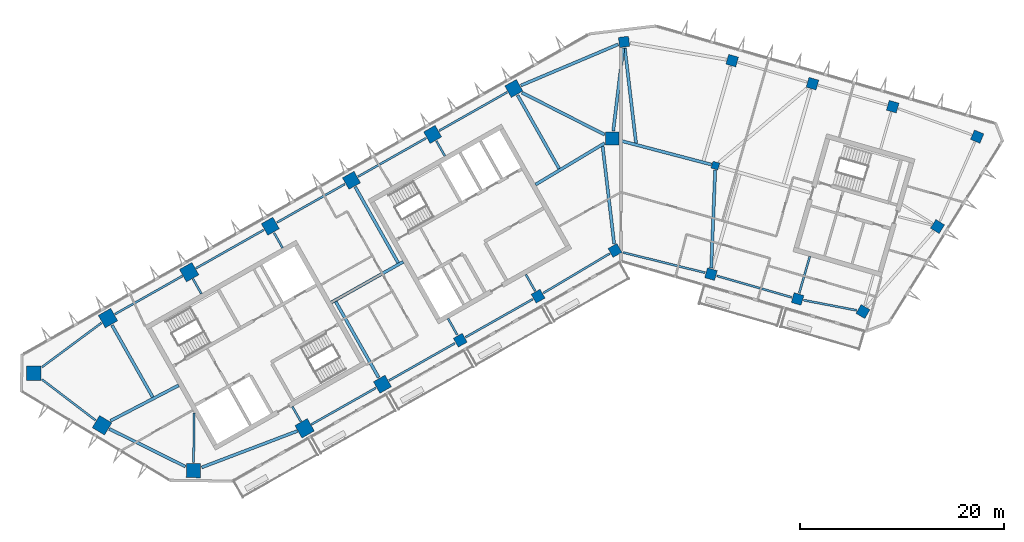
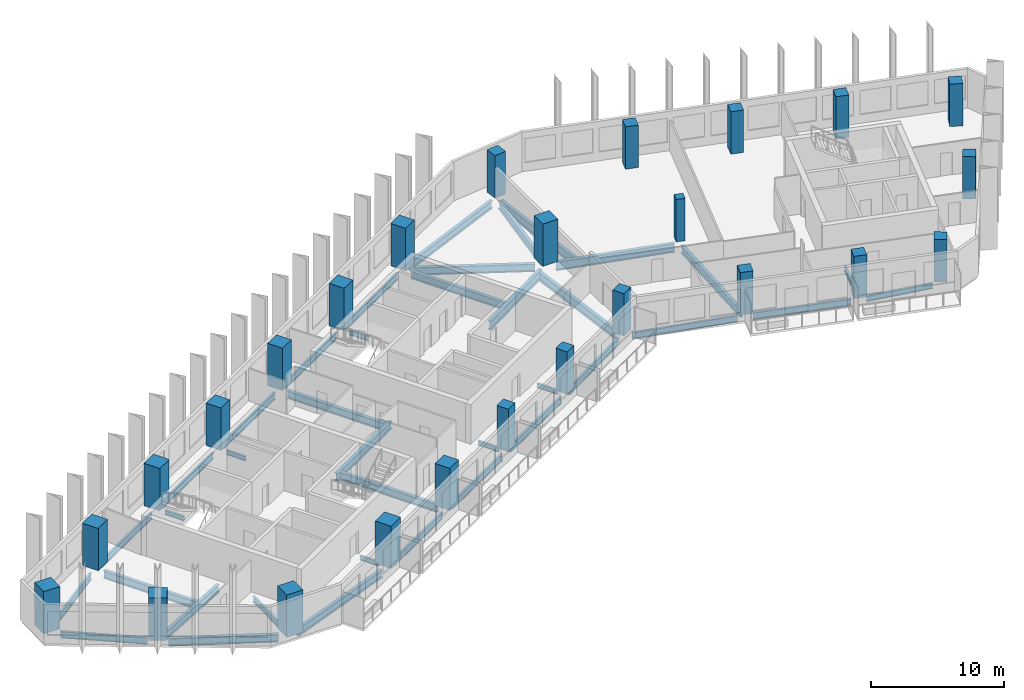
# One storey, part 1 of 11: 38 beams, 25 columns.
"""IFC4 building model written with IfcOpenShell, lengths in metres."""

from ifc_helpers import new_model, si_unit, direction, frame, origin, origin_2d, place, context, subcontext, project, spatial, rectangle, i_section, extrude, material, material_profile, profile_set, type_object, element, save


model = new_model("IFC4")

# Units and contexts
model_context = context("Model", 3, precision=1e-05, world=origin(), true_north=direction((0.0, 1.0)))
body_context = subcontext(model_context, "Body", "Model", "MODEL_VIEW")
ifc_project = project(units=[si_unit("LENGTHUNIT", "METRE"), si_unit("AREAUNIT", "SQUARE_METRE"), si_unit("VOLUMEUNIT", "CUBIC_METRE"), si_unit("PLANEANGLEUNIT", "RADIAN"), si_unit("MASSUNIT", "GRAM", prefix="KILO")], contexts=[model_context])

# Site, building, storey
site_placement = place(None, origin())
site = spatial("IfcSite", under=ifc_project, at=site_placement, CompositionType="ELEMENT")
building_placement = place(site_placement, origin())
building = spatial("IfcBuilding", under=site, at=building_placement, Name="Binnacle Exchange Tower", CompositionType="ELEMENT")
storey_placement = place(building_placement, frame((0.0, 0.0, 207.5)))
storey = spatial("IfcBuildingStorey", under=building, at=storey_placement, Name="L45", CompositionType="ELEMENT", Elevation=207.5)

# Columns
ifc_material_1 = material(Name="Concrete C60/75", Category="concrete")
ifc_material_profile_1 = material_profile(ifc_material_1, rectangle(XDim=0.699951171875, YDim=0.699951171875, at=origin_2d()), Name="Column 700x700 C60/75")
ifc_profile_set_1 = profile_set([ifc_material_profile_1], Name="Concrete C60/75")
column_type_1 = type_object("IfcColumnType", Name="Column 700x700 C60/75", PredefinedType="COLUMN", material=ifc_profile_set_1)
column_placement = place(storey_placement, frame((9.240966796875, 57.35009765625, 0.0), z_axis=(0.0, 0.0, 1.0), x_axis=(0.961261695938, -0.275637355817, 0.0)))
element("IfcColumn", 1, at=column_placement, inside=storey, type_object=column_type_1, Name="S:COL:C19:L45", PredefinedType="COLUMN", context=body_context, shape_type="SweptSolid", body=[
    extrude(rectangle(XDim=0.699951171875, YDim=0.699951171875, at=origin_2d()), origin(), (0.0, 0.0, 1.0), 3.89990234375),
])
ifc_material_profile_2 = material_profile(ifc_material_1, rectangle(XDim=1.0, YDim=1.0, at=origin_2d()), Name="Mega column 1000x1000 C60/75")
ifc_profile_set_2 = profile_set([ifc_material_profile_2], Name="Concrete C60/75")
column_type_2 = type_object("IfcColumnType", Name="Mega column 1000x1000 C60/75", PredefinedType="COLUMN", material=ifc_profile_set_2)
for number, where, z_axis, x_axis, name in (
    (2, (26.602783203125, 63.12353515625, 0.0), (0.0, 0.0, 1.0), (-0.961261695938, 0.275637355817, 0.0), "S:COL:MC52:L45"),
    (3, (18.746337890625, 65.376220703125, 0.0), (0.0, 0.0, 1.0), (-0.961261695938, 0.275637355817, 0.0), "S:COL:MC50:L45"),
    (4, (10.889892578125, 67.62890625, 0.0), (0.0, 0.0, 1.0), (-0.961261695938, 0.275637355817, 0.0), "S:COL:MC48:L45"),
    (5, (0.300048828125, 69.464111328125, 0.0), (0.0, 0.0, 1.0), (-0.993068456955, -0.117537397458, 0.0), "S:COL:MC47:L45"),
    (6, (-15.736328125, 40.257080078125, 0.0), (0.0, 0.0, 1.0), (0.87035569594, 0.492423560103, 0.0), "S:COL:MC24:L45"),
    (7, (-8.116943359375, 44.568115234375, 0.0), (0.0, 0.0, 1.0), (0.87035569594, 0.492423560103, 0.0), "S:COL:MC35:L45"),
    (8, (-0.5908203125, 49.04443359375, 0.0), (0.0, 0.0, 1.0), (0.87035569594, 0.492423560103, 0.0), "S:COL:MC46:L45"),
    (9, (8.8095703125, 46.722412109375, 0.0), (0.0, 0.0, 1.0), (0.961261695938, -0.275637355817, 0.0), "S:COL:MC49:L45"),
    (10, (17.2880859375, 44.291015625, 0.0), (0.0, 0.0, 1.0), (0.961261695938, -0.275637355817, 0.0), "S:COL:MC51:L45"),
    (11, (23.690185546875, 43.062744140625, 0.0), (0.0, 0.0, 1.0), (-0.86532642813, 0.501208711795, 0.0), "S:COL:MC53:L45"),
    (12, (30.989501953125, 51.38623046875, 0.0), (0.0, 0.0, 1.0), (0.529919264233, 0.848048096156, 0.0), "S:COL:MC55:L45"),
    (13, (34.870361328125, 60.18701171875, 0.0), (0.0, 0.0, 1.0), (-0.922814001807, 0.385245789164, 0.0), "S:COL:MC54:L45"),
):
    element("IfcColumn", number, at=place(storey_placement, frame(where, z_axis=z_axis, x_axis=x_axis)), inside=storey, type_object=column_type_2, Name=name, PredefinedType="COLUMN", context=body_context, shape_type="SweptSolid", body=[
        extrude(rectangle(XDim=1.0, YDim=1.0, at=origin_2d()), origin(), (0.0, 0.0, 1.0), 3.89990234375),
    ])
ifc_material_profile_3 = material_profile(ifc_material_1, rectangle(XDim=1.300048828125, YDim=1.300048828125, at=origin_2d()), Name="Mega column 1300x1300 C60/75")
ifc_profile_set_3 = profile_set([ifc_material_profile_3], Name="Concrete C60/75")
column_type_3 = type_object("IfcColumnType", Name="Mega column 1300x1300 C60/75", PredefinedType="COLUMN", material=ifc_profile_set_3)
for number, where, z_axis, x_axis, name in (
    (14, (-10.4951171875, 64.901611328125, 0.0), (0.0, 0.0, 1.0), (-0.87035569594, -0.492423560103, 0.0), "S:COL:MC38:L45"),
    (15, (-18.44140625, 60.406005859375, 0.0), (0.0, 0.0, 1.0), (-0.87035569594, -0.492423560103, 0.0), "S:COL:MC29:L45"),
    (16, (-26.3876953125, 55.91015625, 0.0), (0.0, 0.0, 1.0), (-0.87035569594, -0.492423560103, 0.0), "S:COL:MC21:L45"),
    (17, (-34.333740234375, 51.414306640625, 0.0), (0.0, 0.0, 1.0), (-0.87035569594, -0.492423560103, 0.0), "S:COL:MC13:L45"),
    (18, (-23.35595703125, 35.9462890625, 0.0), (0.0, 0.0, 1.0), (0.87035569594, 0.492423560103, 0.0), "S:COL:MC16:L45"),
    (19, (-0.85009765625, 60.0, 0.0), (0.0, 0.0, 1.0), (0.0, 1.0, 0.0), "S:COL:MC45:L45"),
):
    element("IfcColumn", number, at=place(storey_placement, frame(where, z_axis=z_axis, x_axis=x_axis)), inside=storey, type_object=column_type_3, Name=name, PredefinedType="COLUMN", context=body_context, shape_type="SweptSolid", body=[
        extrude(rectangle(XDim=1.300048828125, YDim=1.300048828125, at=origin_2d()), origin(), (0.0, 0.0, 1.0), 3.89990234375),
    ])
ifc_material_profile_4 = material_profile(ifc_material_1, rectangle(XDim=1.39990234375, YDim=1.39990234375, at=origin_2d()), Name="Mega column 1400x1400 C60/75")
ifc_profile_set_4 = profile_set([ifc_material_profile_4], Name="Concrete C60/75")
column_type_4 = type_object("IfcColumnType", Name="Mega column 1400x1400 C60/75", PredefinedType="COLUMN", material=ifc_profile_set_4)
for number, where, z_axis, x_axis, name in (
    (20, (-42.280029296875, 46.918701171875, 0.0), (0.0, 0.0, 1.0), (-0.87035569594, -0.492423560103, 0.0), "S:COL:MC08:L45"),
    (21, (-50.226318359375, 42.4228515625, 0.0), (0.0, 0.0, 1.0), (-0.87035569594, -0.492423560103, 0.0), "S:COL:MC04:L45"),
    (22, (-57.492919921875, 37.02734375, 0.0), (0.0, 0.0, 1.0), (-0.013089595571, -0.999914327574, 0.0), "S:COL:MC02:L45"),
    (23, (-50.81201171875, 31.930908203125, 0.0), (0.0, 0.0, 1.0), (0.857167300702, -0.51503807491, 0.0), "S:COL:MC01:L45"),
    (24, (-41.857666015625, 27.494873046875, 0.0), (0.0, 0.0, 1.0), (0.999914327574, -0.013089595571, 0.0), "S:COL:MC03:L45"),
    (25, (-30.9755859375, 31.63525390625, 0.0), (0.0, 0.0, 1.0), (0.87035569594, 0.492423560103, 0.0), "S:COL:MC07:L45"),
):
    element("IfcColumn", number, at=place(storey_placement, frame(where, z_axis=z_axis, x_axis=x_axis)), inside=storey, type_object=column_type_4, Name=name, PredefinedType="COLUMN", context=body_context, shape_type="SweptSolid", body=[
        extrude(rectangle(XDim=1.39990234375, YDim=1.39990234375, at=origin_2d()), origin(), (0.0, 0.0, 1.0), 3.89990234375),
    ])

# Beams
ifc_material_2 = material(Name="Steel S355 (SHN355)", Category="steel")
ifc_material_profile_5 = material_profile(ifc_material_2, i_section(OverallWidth=0.199951171875, OverallDepth=0.5, WebThickness=0.010009765625, FlangeThickness=0.01611328125, FilletRadius=0.02001953125, at=origin_2d()), Name="H 500x200x10x16")
ifc_profile_set_5 = profile_set([ifc_material_profile_5], Name="Steel S355 (SHN355)")
beam_type_1 = type_object("IfcBeamType", Name="Edge girder H 500x200x10x16 Steel S355 (SHN355)", PredefinedType="SPANDREL", material=ifc_profile_set_5)
beam_1_placement = place(storey_placement, frame((17.8798828125, 44.177490234375, -0.530029296875), z_axis=(0.982085171807, -0.188437563446, 0.0), x_axis=(0.188437563446, 0.982085171807, 0.0)))
element("IfcBeam", 26, at=beam_1_placement, inside=storey, type_object=beam_type_1, Name="S:BM:edge:L45:028", PredefinedType="SPANDREL", context=body_context, shape_type="SweptSolid", body=[
    extrude(i_section(OverallWidth=0.199951171875, OverallDepth=0.5, WebThickness=0.010009765625, FlangeThickness=0.01611328125, FilletRadius=0.02001953125, at=origin_2d()), origin(), (0.0, 0.0, 1.0), 5.281005859375),
])
ifc_material_profile_6 = material_profile(ifc_material_2, i_section(OverallWidth=0.199951171875, OverallDepth=0.60009765625, WebThickness=0.010986328125, FlangeThickness=0.01708984375, FilletRadius=0.02197265625, at=origin_2d()), Name="H 600x200x11x17")
ifc_profile_set_6 = profile_set([ifc_material_profile_6], Name="Steel S355 (SHN355)")
beam_type_2 = type_object("IfcBeamType", Name="Edge girder H 600x200x11x17 Steel S355 (SHN355)", PredefinedType="SPANDREL", material=ifc_profile_set_6)
beam_2_placement = place(storey_placement, frame((-56.70068359375, 36.423095703125, -0.580078125), z_axis=(0.795078424379, -0.606506635649, 0.0), x_axis=(0.606506635649, 0.795078424379, 0.0)))
element("IfcBeam", 27, at=beam_2_placement, inside=storey, type_object=beam_type_2, Name="S:BM:edge:L45:011", PredefinedType="SPANDREL", context=body_context, shape_type="SweptSolid", body=[
    extrude(i_section(OverallWidth=0.199951171875, OverallDepth=0.60009765625, WebThickness=0.010986328125, FlangeThickness=0.01708984375, FilletRadius=0.02197265625, at=origin_2d()), origin(), (0.0, 0.0, 1.0), 6.6015625),
])
ifc_material_profile_7 = material_profile(ifc_material_2, i_section(OverallWidth=0.200927734375, OverallDepth=0.60595703125, WebThickness=0.011962890625, FlangeThickness=0.02001953125, FilletRadius=0.02197265625, at=origin_2d()), Name="H 606x201x12x20")
ifc_profile_set_7 = profile_set([ifc_material_profile_7], Name="Steel S355 (SHN355)")
beam_type_3 = type_object("IfcBeamType", Name="Edge girder H 606x201x12x20 Steel S355 (SHN355)", PredefinedType="SPANDREL", material=ifc_profile_set_7)
beam_3_placement = place(storey_placement, frame((-50.87353515625, 41.9423828125, -0.5830078125), z_axis=(-0.802872533272, -0.596150732044, 0.0), x_axis=(0.596150732044, -0.802872533272, 0.0)))
element("IfcBeam", 28, at=beam_3_placement, inside=storey, type_object=beam_type_3, Name="S:BM:edge:L45:012", PredefinedType="SPANDREL", context=body_context, shape_type="SweptSolid", body=[
    extrude(i_section(OverallWidth=0.200927734375, OverallDepth=0.60595703125, WebThickness=0.011962890625, FlangeThickness=0.02001953125, FilletRadius=0.02197265625, at=origin_2d()), origin(), (0.0, 0.0, 1.0), 7.238525390625),
])
beam_4_placement = place(storey_placement, frame((-30.32275390625, 32.004638671875, -0.5830078125), z_axis=(0.870355920795, 0.492423162674, 0.0), x_axis=(-0.492423162674, 0.870355920795, 0.0)))
element("IfcBeam", 29, at=beam_4_placement, inside=storey, type_object=beam_type_3, Name="S:BM:edge:L45:017", PredefinedType="SPANDREL", context=body_context, shape_type="SweptSolid", body=[
    extrude(i_section(OverallWidth=0.200927734375, OverallDepth=0.60595703125, WebThickness=0.011962890625, FlangeThickness=0.02001953125, FilletRadius=0.02197265625, at=origin_2d()), origin(), (0.0, 0.0, 1.0), 7.25439453125),
])
beam_5_placement = place(storey_placement, frame((-22.703125, 36.3154296875, -0.5830078125), z_axis=(0.87035151347, 0.49243095252, 0.0), x_axis=(-0.49243095252, 0.87035151347, 0.0)))
element("IfcBeam", 30, at=beam_5_placement, inside=storey, type_object=beam_type_3, Name="S:BM:edge:L45:019", PredefinedType="SPANDREL", context=body_context, shape_type="SweptSolid", body=[
    extrude(i_section(OverallWidth=0.200927734375, OverallDepth=0.60595703125, WebThickness=0.011962890625, FlangeThickness=0.02001953125, FilletRadius=0.02197265625, at=origin_2d()), origin(), (0.0, 0.0, 1.0), 7.404541015625),
])
beam_6_placement = place(storey_placement, frame((-15.214111328125, 40.552734375, -0.5830078125), z_axis=(0.870353295418, 0.492427802988, 0.0), x_axis=(-0.492427802988, 0.870353295418, 0.0)))
element("IfcBeam", 31, at=beam_6_placement, inside=storey, type_object=beam_type_3, Name="S:BM:edge:L45:021", PredefinedType="SPANDREL", context=body_context, shape_type="SweptSolid", body=[
    extrude(i_section(OverallWidth=0.200927734375, OverallDepth=0.60595703125, WebThickness=0.011962890625, FlangeThickness=0.02001953125, FilletRadius=0.02197265625, at=origin_2d()), origin(), (0.0, 0.0, 1.0), 7.554443359375),
])
beam_7_placement = place(storey_placement, frame((-7.60107421875, 44.875, -0.5830078125), z_axis=(0.85946222832, 0.511199254783, 0.0), x_axis=(-0.511199254783, 0.85946222832, 0.0)))
element("IfcBeam", 32, at=beam_7_placement, inside=storey, type_object=beam_type_3, Name="S:BM:edge:L45:023", PredefinedType="SPANDREL", context=body_context, shape_type="SweptSolid", body=[
    extrude(i_section(OverallWidth=0.200927734375, OverallDepth=0.60595703125, WebThickness=0.011962890625, FlangeThickness=0.02001953125, FilletRadius=0.02197265625, at=origin_2d()), origin(), (0.0, 0.0, 1.0), 7.556396484375),
])
beam_8_placement = place(storey_placement, frame((9.38623046875, 46.556884765625, -0.5830078125), z_axis=(0.961266012815, -0.275622300635, 0.0), x_axis=(0.275622300635, 0.961266012815, 0.0)))
element("IfcBeam", 33, at=beam_8_placement, inside=storey, type_object=beam_type_3, Name="S:BM:edge:L45:026", PredefinedType="SPANDREL", context=body_context, shape_type="SweptSolid", body=[
    extrude(i_section(OverallWidth=0.200927734375, OverallDepth=0.60595703125, WebThickness=0.011962890625, FlangeThickness=0.02001953125, FilletRadius=0.02197265625, at=origin_2d()), origin(), (0.0, 0.0, 1.0), 7.620361328125),
])
ifc_material_profile_8 = material_profile(ifc_material_2, i_section(OverallWidth=0.201904296875, OverallDepth=0.612060546875, WebThickness=0.012939453125, FlangeThickness=0.02294921875, FilletRadius=0.02197265625, at=origin_2d()), Name="H 612x202x13x23")
ifc_profile_set_8 = profile_set([ifc_material_profile_8], Name="Steel S355 (SHN355)")
beam_type_4 = type_object("IfcBeamType", Name="Edge girder H 612x202x13x23 Steel S355 (SHN355)", PredefinedType="SPANDREL", material=ifc_profile_set_8)
beam_9_placement = place(storey_placement, frame((-42.932861328125, 46.54931640625, -0.5859375), z_axis=(-0.870352192811, -0.492429751811, 0.0), x_axis=(0.492429751811, -0.870352192811, 0.0)))
element("IfcBeam", 34, at=beam_9_placement, inside=storey, type_object=beam_type_4, Name="S:BM:edge:L45:014", PredefinedType="SPANDREL", context=body_context, shape_type="SweptSolid", body=[
    extrude(i_section(OverallWidth=0.201904296875, OverallDepth=0.612060546875, WebThickness=0.012939453125, FlangeThickness=0.02294921875, FilletRadius=0.02197265625, at=origin_2d()), origin(), (0.0, 0.0, 1.0), 7.57958984375),
])
for number, where, z_axis, x_axis, name in (
    (35, (-34.986572265625, 51.045166015625, -0.5859375), (-0.870355964277, -0.492423085818, 0.0), (0.492423085818, -0.870355964277, 0.0), "S:BM:edge:L45:016"),
    (36, (-27.040283203125, 55.541015625, -0.5859375), (-0.870342250182, -0.492447324643, 0.0), (0.492447324643, -0.870342250182, 0.0), "S:BM:edge:L45:018"),
    (37, (-19.093994140625, 60.03662109375, -0.5859375), (-0.870363722936, -0.492409372165, 0.0), (0.492409372165, -0.870363722936, 0.0), "S:BM:edge:L45:020"),
    (38, (-11.14794921875, 64.532470703125, -0.5859375), (-0.870355964277, -0.492423085818, 0.0), (0.492423085818, -0.870355964277, 0.0), "S:BM:edge:L45:022"),
):
    element("IfcBeam", number, at=place(storey_placement, frame(where, z_axis=z_axis, x_axis=x_axis)), inside=storey, type_object=beam_type_4, Name=name, PredefinedType="SPANDREL", context=body_context, shape_type="SweptSolid", body=[
        extrude(i_section(OverallWidth=0.201904296875, OverallDepth=0.612060546875, WebThickness=0.012939453125, FlangeThickness=0.02294921875, FilletRadius=0.02197265625, at=origin_2d()), origin(), (0.0, 0.0, 1.0), 7.6298828125),
    ])
beam_10_placement = place(storey_placement, frame((0.21044921875, 48.846435546875, -0.5859375), z_axis=(0.970817017645, -0.239821429924, 0.0), x_axis=(0.239821429924, 0.970817017645, 0.0)))
element("IfcBeam", 39, at=beam_10_placement, inside=storey, type_object=beam_type_4, Name="S:BM:edge:L45:025", PredefinedType="SPANDREL", context=body_context, shape_type="SweptSolid", body=[
    extrude(i_section(OverallWidth=0.201904296875, OverallDepth=0.612060546875, WebThickness=0.012939453125, FlangeThickness=0.02294921875, FilletRadius=0.02197265625, at=origin_2d()), origin(), (0.0, 0.0, 1.0), 8.257080078125),
])
ifc_material_profile_9 = material_profile(ifc_material_2, i_section(OverallWidth=0.300048828125, OverallDepth=0.699951171875, WebThickness=0.012939453125, FlangeThickness=0.02392578125, FilletRadius=0.028076171875, at=origin_2d()), Name="H 700x300x13x24")
ifc_profile_set_9 = profile_set([ifc_material_profile_9], Name="Steel S355 (SHN355)")
beam_type_5 = type_object("IfcBeamType", Name="Edge girder H 700x300x13x24 Steel S355 (SHN355)", PredefinedType="SPANDREL", material=ifc_profile_set_9)
beam_11_placement = place(storey_placement, frame((-50.0927734375, 31.57470703125, -0.6298828125), z_axis=(0.896061869104, -0.443929191131, 0.0), x_axis=(0.443929191131, 0.896061869104, 0.0)))
element("IfcBeam", 40, at=beam_11_placement, inside=storey, type_object=beam_type_5, Name="S:BM:edge:L45:013", PredefinedType="SPANDREL", context=body_context, shape_type="SweptSolid", body=[
    extrude(i_section(OverallWidth=0.300048828125, OverallDepth=0.699951171875, WebThickness=0.012939453125, FlangeThickness=0.02392578125, FilletRadius=0.028076171875, at=origin_2d()), origin(), (0.0, 0.0, 1.0), 8.30322265625),
])
beam_12_placement = place(storey_placement, frame((-41.0537109375, 27.80078125, -0.6298828125), z_axis=(0.934633884233, 0.355611448695, 0.0), x_axis=(-0.355611448695, 0.934633884233, 0.0)))
element("IfcBeam", 41, at=beam_12_placement, inside=storey, type_object=beam_type_5, Name="S:BM:edge:L45:015", PredefinedType="SPANDREL", context=body_context, shape_type="SweptSolid", body=[
    extrude(i_section(OverallWidth=0.300048828125, OverallDepth=0.699951171875, WebThickness=0.012939453125, FlangeThickness=0.02392578125, FilletRadius=0.028076171875, at=origin_2d()), origin(), (0.0, 0.0, 1.0), 10.024169921875),
])
beam_13_placement = place(storey_placement, frame((-0.275390625, 69.220947265625, -0.6298828125), z_axis=(-0.921111875234, -0.389297974953, 0.0), x_axis=(0.389297974953, -0.921111875234, 0.0)))
element("IfcBeam", 42, at=beam_13_placement, inside=storey, type_object=beam_type_5, Name="S:BM:edge:L45:024", PredefinedType="SPANDREL", context=body_context, shape_type="SweptSolid", body=[
    extrude(i_section(OverallWidth=0.300048828125, OverallDepth=0.699951171875, WebThickness=0.012939453125, FlangeThickness=0.02392578125, FilletRadius=0.028076171875, at=origin_2d()), origin(), (0.0, 0.0, 1.0), 10.340087890625),
])
ifc_material_profile_10 = material_profile(ifc_material_2, i_section(OverallWidth=0.199951171875, OverallDepth=0.39990234375, WebThickness=0.008056640625, FlangeThickness=0.012939453125, FilletRadius=0.01611328125, at=origin_2d()), Name="H 400x200x8x13")
ifc_profile_set_10 = profile_set([ifc_material_profile_10], Name="Steel S355 (SHN355)")
beam_type_6 = type_object("IfcBeamType", Name="Floor beam H 400x200x8x13 Steel S355 (SHN355)", PredefinedType="BEAM", material=ifc_profile_set_10)
beam_14_placement = place(storey_placement, frame((-41.91064453125, 46.265869140625, -0.47998046875), z_axis=(0.49243456751, -0.870349468157, 0.0), x_axis=(0.870349468157, 0.49243456751, 0.0)))
element("IfcBeam", 43, at=beam_14_placement, inside=storey, type_object=beam_type_6, Name="S:BM:cross:L45:035", PredefinedType="BEAM", context=body_context, shape_type="SweptSolid", body=[
    extrude(i_section(OverallWidth=0.199951171875, OverallDepth=0.39990234375, WebThickness=0.008056640625, FlangeThickness=0.012939453125, FilletRadius=0.01611328125, at=origin_2d()), origin(), (0.0, 0.0, 1.0), 1.68408203125),
])
beam_15_placement = place(storey_placement, frame((-33.964599609375, 50.76171875, -0.47998046875), z_axis=(0.492482237839, -0.870322495063, 0.0), x_axis=(0.870322495063, 0.492482237839, 0.0)))
element("IfcBeam", 44, at=beam_15_placement, inside=storey, type_object=beam_type_6, Name="S:BM:cross:L45:037", PredefinedType="BEAM", context=body_context, shape_type="SweptSolid", body=[
    extrude(i_section(OverallWidth=0.199951171875, OverallDepth=0.39990234375, WebThickness=0.008056640625, FlangeThickness=0.012939453125, FilletRadius=0.01611328125, at=origin_2d()), origin(), (0.0, 0.0, 1.0), 1.6845703125),
])
for number, where, z_axis, x_axis, name in (
    (45, (-31.344970703125, 32.2880859375, -0.47998046875), (-0.49243456751, 0.870349468157, 0.0), (-0.870349468157, -0.49243456751, 0.0), "S:BM:cross:L45:038"),
    (46, (-18.072021484375, 59.753173828125, -0.47998046875), (0.49243456751, -0.870349468157, 0.0), (0.870349468157, 0.49243456751, 0.0), "S:BM:cross:L45:041"),
):
    element("IfcBeam", number, at=place(storey_placement, frame(where, z_axis=z_axis, x_axis=x_axis)), inside=storey, type_object=beam_type_6, Name=name, PredefinedType="BEAM", context=body_context, shape_type="SweptSolid", body=[
        extrude(i_section(OverallWidth=0.199951171875, OverallDepth=0.39990234375, WebThickness=0.008056640625, FlangeThickness=0.012939453125, FilletRadius=0.01611328125, at=origin_2d()), origin(), (0.0, 0.0, 1.0), 1.68408203125),
    ])
beam_16_placement = place(storey_placement, frame((-16.031982421875, 40.779296875, -0.47998046875), z_axis=(-0.492307212856, 0.870421511781, 0.0), x_axis=(-0.870421511781, -0.492307212856, 0.0)))
element("IfcBeam", 47, at=beam_16_placement, inside=storey, type_object=beam_type_6, Name="S:BM:cross:L45:042", PredefinedType="BEAM", context=body_context, shape_type="SweptSolid", body=[
    extrude(i_section(OverallWidth=0.199951171875, OverallDepth=0.39990234375, WebThickness=0.008056640625, FlangeThickness=0.012939453125, FilletRadius=0.01611328125, at=origin_2d()), origin(), (0.0, 0.0, 1.0), 1.83447265625),
])
beam_17_placement = place(storey_placement, frame((-8.412353515625, 45.09033203125, -0.47998046875), z_axis=(-0.492465079532, 0.87033220407, 0.0), x_axis=(-0.87033220407, -0.492465079532, 0.0)))
element("IfcBeam", 48, at=beam_17_placement, inside=storey, type_object=beam_type_6, Name="S:BM:cross:L45:044", PredefinedType="BEAM", context=body_context, shape_type="SweptSolid", body=[
    extrude(i_section(OverallWidth=0.199951171875, OverallDepth=0.39990234375, WebThickness=0.008056640625, FlangeThickness=0.012939453125, FilletRadius=0.01611328125, at=origin_2d()), origin(), (0.0, 0.0, 1.0), 1.834228515625),
])
ifc_material_profile_11 = material_profile(ifc_material_2, i_section(OverallWidth=0.199951171875, OverallDepth=0.449951171875, WebThickness=0.009033203125, FlangeThickness=0.013916015625, FilletRadius=0.01806640625, at=origin_2d()), Name="H 450x200x9x14")
ifc_profile_set_11 = profile_set([ifc_material_profile_11], Name="Steel S355 (SHN355)")
beam_type_7 = type_object("IfcBeamType", Name="Floor beam H 450x200x9x14 Steel S355 (SHN355)", PredefinedType="BEAM", material=ifc_profile_set_11)
beam_18_placement = place(storey_placement, frame((17.45361328125, 44.867919921875, -0.5048828125), z_axis=(0.275644746045, 0.961259576794, 0.0), x_axis=(-0.961259576794, 0.275644746045, 0.0)))
element("IfcBeam", 49, at=beam_18_placement, inside=storey, type_object=beam_type_7, Name="S:BM:cross:L45:049", PredefinedType="BEAM", context=body_context, shape_type="SweptSolid", body=[
    extrude(i_section(OverallWidth=0.199951171875, OverallDepth=0.449951171875, WebThickness=0.009033203125, FlangeThickness=0.013916015625, FilletRadius=0.01806640625, at=origin_2d()), origin(), (0.0, 0.0, 1.0), 3.735107421875),
])
ifc_material_profile_12 = material_profile(ifc_material_2, i_section(OverallWidth=0.200927734375, OverallDepth=0.506103515625, WebThickness=0.010986328125, FlangeThickness=0.01904296875, FilletRadius=0.02001953125, at=origin_2d()), Name="H 506x201x11x19")
ifc_profile_set_12 = profile_set([ifc_material_profile_12], Name="Steel S355 (SHN355)")
beam_type_8 = type_object("IfcBeamType", Name="Floor beam H 506x201x11x19 Steel S355 (SHN355)", PredefinedType="BEAM", material=ifc_profile_set_12)
beam_19_placement = place(storey_placement, frame((-41.84716796875, 28.294677734375, -0.532958984375), z_axis=(0.013085908175, 0.999914375838, 0.0), x_axis=(-0.999914375838, 0.013085908175, 0.0)))
element("IfcBeam", 50, at=beam_19_placement, inside=storey, type_object=beam_type_8, Name="S:BM:cross:L45:036", PredefinedType="BEAM", context=body_context, shape_type="SweptSolid", body=[
    extrude(i_section(OverallWidth=0.200927734375, OverallDepth=0.506103515625, WebThickness=0.010986328125, FlangeThickness=0.01904296875, FilletRadius=0.02001953125, at=origin_2d()), origin(), (0.0, 0.0, 1.0), 4.850830078125),
])
ifc_material_profile_13 = material_profile(ifc_material_2, i_section(OverallWidth=0.300048828125, OverallDepth=0.699951171875, WebThickness=0.012939453125, FlangeThickness=0.02392578125, FilletRadius=0.028076171875, at=origin_2d()), Name="H 700x300x13x24")
ifc_profile_set_13 = profile_set([ifc_material_profile_13], Name="Steel S355 (SHN355)")
beam_type_9 = type_object("IfcBeamType", Name="Floor beam H 700x300x13x24 Steel S355 (SHN355)", PredefinedType="BEAM", material=ifc_profile_set_13)
beam_20_placement = place(storey_placement, frame((-49.832275390625, 41.7265625, -0.6298828125), z_axis=(0.492430056331, -0.870352020519, 0.0), x_axis=(0.870352020519, 0.492430056331, 0.0)))
element("IfcBeam", 51, at=beam_20_placement, inside=storey, type_object=beam_type_9, Name="S:BM:cross:L45:034", PredefinedType="BEAM", context=body_context, shape_type="SweptSolid", body=[
    extrude(i_section(OverallWidth=0.300048828125, OverallDepth=0.699951171875, WebThickness=0.012939453125, FlangeThickness=0.02392578125, FilletRadius=0.028076171875, at=origin_2d()), origin(), (0.0, 0.0, 1.0), 8.09130859375),
])
beam_21_placement = place(storey_placement, frame((-10.125732421875, 64.248779296875, -0.6298828125), z_axis=(0.492423973828, -0.870355461866, 0.0), x_axis=(0.870355461866, 0.492423973828, 0.0)))
element("IfcBeam", 52, at=beam_21_placement, inside=storey, type_object=beam_type_9, Name="S:BM:cross:L45:043", PredefinedType="BEAM", context=body_context, shape_type="SweptSolid", body=[
    extrude(i_section(OverallWidth=0.300048828125, OverallDepth=0.699951171875, WebThickness=0.012939453125, FlangeThickness=0.02392578125, FilletRadius=0.028076171875, at=origin_2d()), origin(), (0.0, 0.0, 1.0), 8.269287109375),
])
ifc_material_profile_14 = material_profile(ifc_material_2, i_section(OverallWidth=0.302001953125, OverallDepth=0.7080078125, WebThickness=0.014892578125, FlangeThickness=0.028076171875, FilletRadius=0.028076171875, at=origin_2d()), Name="H 708x302x15x28")
ifc_profile_set_14 = profile_set([ifc_material_profile_14], Name="Steel S355 (SHN355)")
beam_type_10 = type_object("IfcBeamType", Name="Floor beam H 708x302x15x28 Steel S355 (SHN355)", PredefinedType="BEAM", material=ifc_profile_set_14)
for number, where, z_axis, x_axis, name in (
    (53, (-26.018310546875, 55.25732421875, -0.634033203125), (0.4924220214, -0.870356566495, 0.0), (0.870356566495, 0.4924220214, 0.0), "S:BM:cross:L45:039"),
    (54, (-23.725341796875, 36.59912109375, -0.634033203125), (-0.4924220214, 0.870356566495, 0.0), (-0.870356566495, -0.4924220214, 0.0), "S:BM:cross:L45:040"),
):
    element("IfcBeam", number, at=place(storey_placement, frame(where, z_axis=z_axis, x_axis=x_axis)), inside=storey, type_object=beam_type_10, Name=name, PredefinedType="BEAM", context=body_context, shape_type="SweptSolid", body=[
        extrude(i_section(OverallWidth=0.302001953125, OverallDepth=0.7080078125, WebThickness=0.014892578125, FlangeThickness=0.028076171875, FilletRadius=0.028076171875, at=origin_2d()), origin(), (0.0, 0.0, 1.0), 8.5341796875),
    ])
ifc_material_profile_15 = material_profile(ifc_material_2, i_section(OverallWidth=0.300048828125, OverallDepth=0.800048828125, WebThickness=0.013916015625, FlangeThickness=0.02587890625, FilletRadius=0.028076171875, at=origin_2d()), Name="H 800x300x14x26")
ifc_profile_set_15 = profile_set([ifc_material_profile_15], Name="Steel S355 (SHN355)")
beam_type_11 = type_object("IfcBeamType", Name="Floor beam H 800x300x14x26 Steel S355 (SHN355)", PredefinedType="BEAM", material=ifc_profile_set_15)
beam_22_placement = place(storey_placement, frame((-0.66748046875, 49.690673828125, -0.679931640625), z_axis=(-0.117518220547, 0.993070726504, 0.0), x_axis=(-0.993070726504, -0.117518220547, 0.0)))
element("IfcBeam", 55, at=beam_22_placement, inside=storey, type_object=beam_type_11, Name="S:BM:cross:L45:045", PredefinedType="BEAM", context=body_context, shape_type="SweptSolid", body=[
    extrude(i_section(OverallWidth=0.300048828125, OverallDepth=0.800048828125, WebThickness=0.013916015625, FlangeThickness=0.02587890625, FilletRadius=0.028076171875, at=origin_2d()), origin(), (0.0, 0.0, 1.0), 9.645751953125),
])
beam_23_placement = place(storey_placement, frame((0.37060546875, 68.868408203125, -0.679931640625), z_axis=(0.117552497625, -0.993066669616, 0.0), x_axis=(0.993066669616, 0.117552497625, 0.0)))
element("IfcBeam", 56, at=beam_23_placement, inside=storey, type_object=beam_type_11, Name="S:BM:cross:L45:046", PredefinedType="BEAM", context=body_context, shape_type="SweptSolid", body=[
    extrude(i_section(OverallWidth=0.300048828125, OverallDepth=0.800048828125, WebThickness=0.013916015625, FlangeThickness=0.02587890625, FilletRadius=0.028076171875, at=origin_2d()), origin(), (0.0, 0.0, 1.0), 9.39990234375),
])
ifc_material_profile_16 = material_profile(ifc_material_2, i_section(OverallWidth=0.300048828125, OverallDepth=0.699951171875, WebThickness=0.012939453125, FlangeThickness=0.02392578125, FilletRadius=0.028076171875, at=origin_2d()), Name="H 700x300x13x24")
ifc_profile_set_16 = profile_set([ifc_material_profile_16], Name="Steel S355 (SHN355)")
beam_type_12 = type_object("IfcBeamType", Name="Spine girder H 700x300x13x24 Steel S355 (SHN355)", PredefinedType="BEAM", material=ifc_profile_set_16)
beam_24_placement = place(storey_placement, frame((-49.979736328125, 32.3642578125, -0.6298828125), z_axis=(0.886978621009, 0.461810486968, 0.0), x_axis=(-0.461810486968, 0.886978621009, 0.0)))
element("IfcBeam", 57, at=beam_24_placement, inside=storey, type_object=beam_type_12, Name="S:BM:spine:L45:001", PredefinedType="BEAM", context=body_context, shape_type="SweptSolid", body=[
    extrude(i_section(OverallWidth=0.300048828125, OverallDepth=0.699951171875, WebThickness=0.012939453125, FlangeThickness=0.02392578125, FilletRadius=0.028076171875, at=origin_2d()), origin(), (0.0, 0.0, 1.0), 7.522216796875),
])
beam_25_placement = place(storey_placement, frame((-1.60009765625, 60.381103515625, -0.6298828125), z_axis=(-0.891476459322, 0.453067017641, 0.0), x_axis=(-0.453067017641, -0.891476459322, 0.0)))
element("IfcBeam", 58, at=beam_25_placement, inside=storey, type_object=beam_type_12, Name="S:BM:spine:L45:004", PredefinedType="BEAM", context=body_context, shape_type="SweptSolid", body=[
    extrude(i_section(OverallWidth=0.300048828125, OverallDepth=0.699951171875, WebThickness=0.012939453125, FlangeThickness=0.02392578125, FilletRadius=0.028076171875, at=origin_2d()), origin(), (0.0, 0.0, 1.0), 9.07763671875),
])
beam_26_placement = place(storey_placement, frame((-0.7587890625, 60.75, -0.6298828125), z_axis=(0.120620829002, 0.992698652971, 0.0), x_axis=(-0.992698652971, 0.120620829002, 0.0)))
element("IfcBeam", 59, at=beam_26_placement, inside=storey, type_object=beam_type_12, Name="S:BM:spine:L45:005", PredefinedType="BEAM", context=body_context, shape_type="SweptSolid", body=[
    extrude(i_section(OverallWidth=0.300048828125, OverallDepth=0.699951171875, WebThickness=0.012939453125, FlangeThickness=0.02392578125, FilletRadius=0.028076171875, at=origin_2d()), origin(), (0.0, 0.0, 1.0), 8.160888671875),
])
beam_27_placement = place(storey_placement, frame((9.22412109375, 56.93896484375, -0.6298828125), z_axis=(-0.040556634715, -0.999177241224, 0.0), x_axis=(0.999177241224, -0.040556634715, 0.0)))
element("IfcBeam", 60, at=beam_27_placement, inside=storey, type_object=beam_type_12, Name="S:BM:spine:L45:007", PredefinedType="BEAM", context=body_context, shape_type="SweptSolid", body=[
    extrude(i_section(OverallWidth=0.300048828125, OverallDepth=0.699951171875, WebThickness=0.012939453125, FlangeThickness=0.02392578125, FilletRadius=0.028076171875, at=origin_2d()), origin(), (0.0, 0.0, 1.0), 9.607421875),
])
ifc_material_profile_17 = material_profile(ifc_material_2, i_section(OverallWidth=0.302001953125, OverallDepth=0.7080078125, WebThickness=0.014892578125, FlangeThickness=0.028076171875, FilletRadius=0.028076171875, at=origin_2d()), Name="H 708x302x15x28")
ifc_profile_set_17 = profile_set([ifc_material_profile_17], Name="Steel S355 (SHN355)")
beam_type_13 = type_object("IfcBeamType", Name="Spine girder H 708x302x15x28 Steel S355 (SHN355)", PredefinedType="BEAM", material=ifc_profile_set_17)
beam_28_placement = place(storey_placement, frame((-28.365478515625, 43.951416015625, -0.634033203125), z_axis=(0.870350319004, 0.492433063684, 0.0), x_axis=(-0.492433063684, 0.870350319004, 0.0)))
element("IfcBeam", 61, at=beam_28_placement, inside=storey, type_object=beam_type_13, Name="S:BM:spine:L45:002", PredefinedType="BEAM", context=body_context, shape_type="SweptSolid", body=[
    extrude(i_section(OverallWidth=0.302001953125, OverallDepth=0.7080078125, WebThickness=0.014892578125, FlangeThickness=0.028076171875, FilletRadius=0.028076171875, at=origin_2d()), origin(), (0.0, 0.0, 1.0), 8.0908203125),
])
ifc_material_profile_18 = material_profile(ifc_material_2, i_section(OverallWidth=0.300048828125, OverallDepth=0.800048828125, WebThickness=0.013916015625, FlangeThickness=0.02587890625, FilletRadius=0.028076171875, at=origin_2d()), Name="H 800x300x14x26")
ifc_profile_set_18 = profile_set([ifc_material_profile_18], Name="Steel S355 (SHN355)")
beam_type_14 = type_object("IfcBeamType", Name="Spine girder H 800x300x14x26 Steel S355 (SHN355)", PredefinedType="BEAM", material=ifc_profile_set_18)
beam_29_placement = place(storey_placement, frame((-8.36328125, 55.489990234375, -0.679931640625), z_axis=(0.857386401747, 0.514673253724, 0.0), x_axis=(-0.514673253724, 0.857386401747, 0.0)))
element("IfcBeam", 62, at=beam_29_placement, inside=storey, type_object=beam_type_14, Name="S:BM:spine:L45:003", PredefinedType="BEAM", context=body_context, shape_type="SweptSolid", body=[
    extrude(i_section(OverallWidth=0.300048828125, OverallDepth=0.800048828125, WebThickness=0.013916015625, FlangeThickness=0.02587890625, FilletRadius=0.028076171875, at=origin_2d()), origin(), (0.0, 0.0, 1.0), 7.88818359375),
])
beam_30_placement = place(storey_placement, frame((-0.10009765625, 59.802978515625, -0.679931640625), z_axis=(0.967214448634, -0.253961041017, 0.0), x_axis=(0.253961041017, 0.967214448634, 0.0)))
element("IfcBeam", 63, at=beam_30_placement, inside=storey, type_object=beam_type_14, Name="S:BM:spine:L45:006", PredefinedType="BEAM", context=body_context, shape_type="SweptSolid", body=[
    extrude(i_section(OverallWidth=0.300048828125, OverallDepth=0.800048828125, WebThickness=0.013916015625, FlangeThickness=0.02587890625, FilletRadius=0.028076171875, at=origin_2d()), origin(), (0.0, 0.0, 1.0), 9.257568359375),
])

save(model, "model.ifc")
